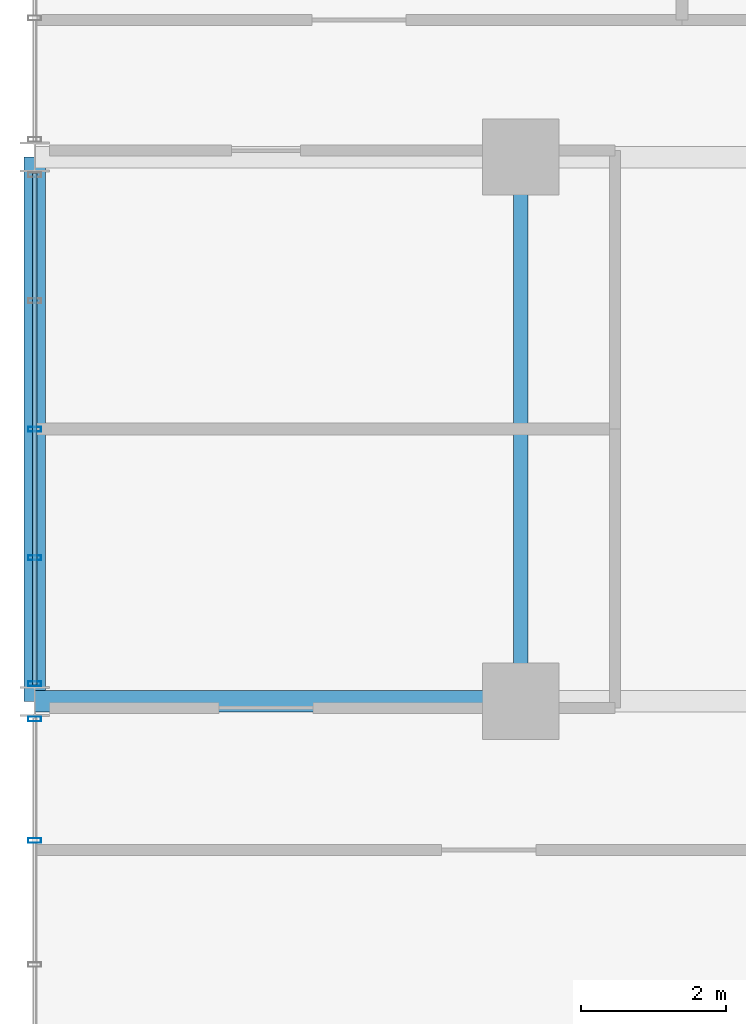
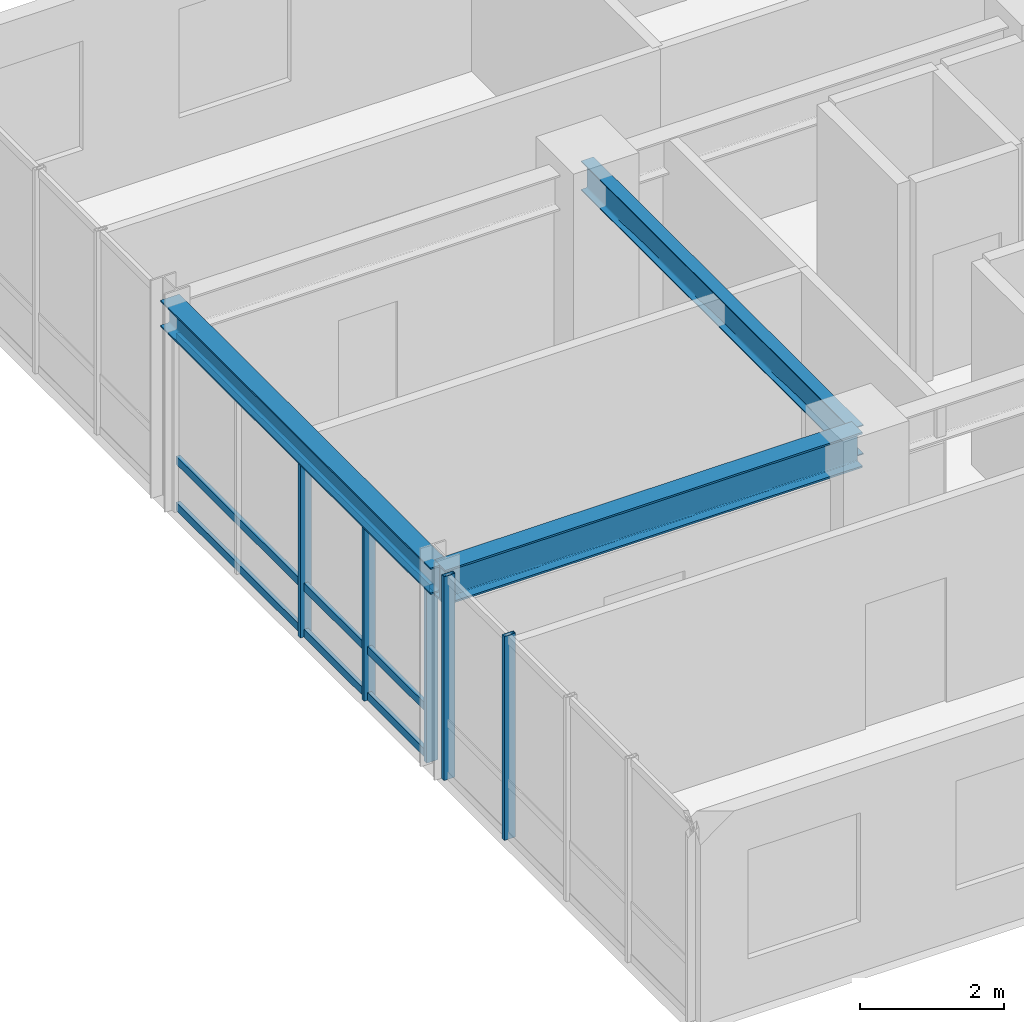
# One storey, part 5 of 19: 8 members, 3 beams, 2 elements without a shape of their own.
"""IFC4 building model written with IfcOpenShell, lengths in metres."""

from ifc_helpers import new_model, si_unit, direction, frame, origin, origin_2d, place, context, subcontext, project, spatial, hollow_rectangle, i_section, extrude, source, transform, mapped, material, layer, layer_set, material_profile, profile_set, type_object, element, aggregate, save


model = new_model("IFC4")

# Units and contexts
model_context = context("Model", 3, precision=1e-05, world=origin(), true_north=direction((0.0, 1.0)))
body_context = subcontext(model_context, "Body", "Model", "MODEL_VIEW")
ifc_project = project(units=[si_unit("LENGTHUNIT", "METRE"), si_unit("AREAUNIT", "SQUARE_METRE"), si_unit("VOLUMEUNIT", "CUBIC_METRE"), si_unit("PLANEANGLEUNIT", "RADIAN"), si_unit("MASSUNIT", "GRAM", prefix="KILO")], contexts=[model_context])

# Site, building, storey
site_placement = place(None, origin())
site = spatial("IfcSite", under=ifc_project, at=site_placement, CompositionType="ELEMENT")
building_placement = place(site_placement, origin())
building = spatial("IfcBuilding", under=site, at=building_placement, Name="Kaliganga Portal Commons", CompositionType="ELEMENT")
storey_placement = place(building_placement, frame((0.0, 0.0, 140.199951171875)))
storey = spatial("IfcBuildingStorey", under=building, at=storey_placement, Name="L35", CompositionType="ELEMENT", Elevation=140.199951171875)

# Beams
ifc_material_1 = material(Name="Structural steel S355J2", Category="steel")
ifc_material_profile_1 = material_profile(ifc_material_1, i_section(OverallWidth=0.199951171875, OverallDepth=0.5, WebThickness=0.01025390625, FlangeThickness=0.01611328125, FilletRadius=0.02099609375, at=origin_2d()), Name="IPE 500")
ifc_profile_set_1 = profile_set([ifc_material_profile_1], Name="Structural steel S355J2 wide-flange")
beam_type_1 = type_object("IfcBeamType", Name="BM-FLR-500", PredefinedType="BEAM", material=ifc_profile_set_1)
shared_shape_1 = source(origin(), body_context, "Body", "SweptSolid", [
    extrude(i_section(OverallWidth=0.199951171875, OverallDepth=0.5, WebThickness=0.01025390625, FlangeThickness=0.01611328125, FilletRadius=0.02099609375, at=origin_2d()), origin(), (0.0, 0.0, 1.0), 7.5),
])
beam_1_placement = place(storey_placement, frame((7.199951171875, 28.64990234375, 3.2099609375), z_axis=(0.0, 1.0, 0.0), x_axis=(-1.0, 0.0, 0.0)))
element("IfcBeam", 1, at=beam_1_placement, inside=storey, type_object=beam_type_1, Name="BM G L35 AW72", PredefinedType="BEAM", context=body_context, shape_type="MappedRepresentation", body=[
    mapped(shared_shape_1, transform((0.0, 0.0, 0.0), x_axis=(1.0, 0.0, 0.0), y_axis=(0.0, 1.0, 0.0), z_axis=(0.0, 0.0, 1.0), scale=1.0)),
])
ifc_material_profile_2 = material_profile(ifc_material_1, i_section(OverallWidth=0.300048828125, OverallDepth=0.449951171875, WebThickness=0.013916015625, FlangeThickness=0.02587890625, FilletRadius=0.027099609375, at=origin_2d()), Name="HE 450 B")
ifc_profile_set_2 = profile_set([ifc_material_profile_2], Name="Structural steel S355J2 wide-flange")
beam_type_2 = type_object("IfcBeamType", Name="BM-SPAND-450", PredefinedType="SPANDREL", material=ifc_profile_set_2)
shared_shape_2 = source(origin(), body_context, "Body", "SweptSolid", [
    extrude(i_section(OverallWidth=0.300048828125, OverallDepth=0.449951171875, WebThickness=0.013916015625, FlangeThickness=0.02587890625, FilletRadius=0.027099609375, at=origin_2d()), origin(), (0.0, 0.0, 1.0), 7.5),
])
beam_2_placement = place(storey_placement, frame((0.5, 28.64990234375, 3.235107421875), z_axis=(0.0, 1.0, 0.0), x_axis=(-1.0, 0.0, 0.0)))
element("IfcBeam", 2, at=beam_2_placement, inside=storey, type_object=beam_type_2, Name="BM SP L35 AW", PredefinedType="SPANDREL", context=body_context, shape_type="MappedRepresentation", body=[
    mapped(shared_shape_2, transform((0.0, 0.0, 0.0), x_axis=(1.0, 0.0, 0.0), y_axis=(0.0, 1.0, 0.0), z_axis=(0.0, 0.0, 1.0), scale=1.0)),
])
ifc_material_profile_3 = material_profile(ifc_material_1, i_section(OverallWidth=0.300048828125, OverallDepth=0.60009765625, WebThickness=0.015380859375, FlangeThickness=0.030029296875, FilletRadius=0.027099609375, at=origin_2d()), Name="HE 600 B")
ifc_profile_set_3 = profile_set([ifc_material_profile_3], Name="Structural steel S355J2 wide-flange")
beam_type_3 = type_object("IfcBeamType", Name="BM-GIRD-600", PredefinedType="USERDEFINED", material=ifc_profile_set_3)
shared_shape_3 = source(origin(), body_context, "Body", "SweptSolid", [
    extrude(i_section(OverallWidth=0.300048828125, OverallDepth=0.60009765625, WebThickness=0.015380859375, FlangeThickness=0.030029296875, FilletRadius=0.027099609375, at=origin_2d()), origin(), (0.0, 0.0, 1.0), 6.699951171875),
])
beam_3_placement = place(storey_placement, frame((0.5, 28.64990234375, 3.16015625), z_axis=(1.0, 0.0, 0.0), x_axis=(0.0, 1.0, 0.0)))
element("IfcBeam", 3, at=beam_3_placement, inside=storey, type_object=beam_type_3, Name="BM G L35 WAH_S 1", ObjectType="GIRDER", PredefinedType="USERDEFINED", context=body_context, shape_type="MappedRepresentation", body=[
    mapped(shared_shape_3, transform((0.0, 0.0, 0.0), x_axis=(1.0, 0.0, 0.0), y_axis=(0.0, 1.0, 0.0), z_axis=(0.0, 0.0, 1.0), scale=1.0)),
])

# Curtain wall, members
ifc_material_2 = material(Name="Anodized Aluminium and Laminated Low-E Glass", Category="aluminium")
ifc_layer = layer(ifc_material_2, 0.199951171875)
ifc_layer_set = layer_set([ifc_layer], Name="Anodized Aluminium and Laminated Low-E Glass")
curtain_wall_type = type_object("IfcCurtainWallType", Name="CW-SYS-02", PredefinedType="NOTDEFINED", material=ifc_layer_set)
curtain_wall_1_placement = place(storey_placement, origin())
curtain_wall_1 = element("IfcCurtainWall", 4, at=curtain_wall_1_placement, inside=storey, type_object=curtain_wall_type, Name="CW 02 L35 P1E03S3", PredefinedType="NOTDEFINED")
ifc_material_3 = material(Name="Dark Bronze Anodized Aluminium", Category="aluminium")
ifc_material_profile_4 = material_profile(ifc_material_3, hollow_rectangle(XDim=0.06494140625, YDim=0.179931640625, WallThickness=0.00390625, at=origin_2d()), Name="ALU MULL 65x180x4")
ifc_profile_set_4 = profile_set([ifc_material_profile_4], Name="Dark Bronze Anodized Aluminium")
member_type_1 = type_object("IfcMemberType", Name="CW-MUL-180", PredefinedType="MULLION", material=ifc_profile_set_4)
shared_shape_4 = source(origin(), body_context, "Body", "SweptSolid", [
    extrude(hollow_rectangle(XDim=0.06494140625, YDim=0.179931640625, WallThickness=0.00390625, at=origin_2d()), origin(), (0.0, 0.0, 1.0), 3.4599609375),
])
member_1_placement = place(storey_placement, frame((0.5, 28.406982421875, 0.0), z_axis=(0.0, 0.0, 1.0), x_axis=(0.0, -1.0, 0.0)))
member_1 = element("IfcMember", 5, at=member_1_placement, type_object=member_type_1, Name="CW:02:L35:P1E03S3 Mullion 00", PredefinedType="MULLION", context=body_context, shape_type="MappedRepresentation", body=[
    mapped(shared_shape_4, transform((0.0, 0.0, 0.0), x_axis=(1.0, 0.0, 0.0), y_axis=(0.0, 1.0, 0.0), z_axis=(0.0, 0.0, 1.0), scale=1.0)),
])
member_2_placement = place(storey_placement, frame((0.5, 26.7314453125, 0.0), z_axis=(0.0, 0.0, 1.0), x_axis=(0.0, -1.0, 0.0)))
member_2 = element("IfcMember", 6, at=member_2_placement, type_object=member_type_1, Name="CW:02:L35:P1E03S3 Mullion 01", PredefinedType="MULLION", context=body_context, shape_type="MappedRepresentation", body=[
    mapped(shared_shape_4, transform((0.0, 0.0, 0.0), x_axis=(1.0, 0.0, 0.0), y_axis=(0.0, 1.0, 0.0), z_axis=(0.0, 0.0, 1.0), scale=1.0)),
])
aggregate(curtain_wall_1, [member_1, member_2])

curtain_wall_2_placement = place(storey_placement, origin())
curtain_wall_2 = element("IfcCurtainWall", 7, at=curtain_wall_2_placement, inside=storey, type_object=curtain_wall_type, Name="CW 02 L35 P1E03S2", PredefinedType="NOTDEFINED")
shared_shape_5 = source(origin(), body_context, "Body", "SweptSolid", [
    extrude(hollow_rectangle(XDim=0.06494140625, YDim=0.179931640625, WallThickness=0.00390625, at=origin_2d()), origin(), (0.0, 0.0, 1.0), 3.010009765625),
])
member_3_placement = place(storey_placement, frame((0.5, 32.39990234375, 0.0), z_axis=(0.0, 0.0, 1.0), x_axis=(0.0, -1.0, 0.0)))
member_3 = element("IfcMember", 8, at=member_3_placement, type_object=member_type_1, Name="CW:02:L35:P1E03S2 Mullion 02", PredefinedType="MULLION", context=body_context, shape_type="MappedRepresentation", body=[
    mapped(shared_shape_5, transform((0.0, 0.0, 0.0), x_axis=(1.0, 0.0, 0.0), y_axis=(0.0, 1.0, 0.0), z_axis=(0.0, 0.0, 1.0), scale=1.0)),
])
member_4_placement = place(storey_placement, frame((0.5, 30.62890625, 0.0), z_axis=(0.0, 0.0, 1.0), x_axis=(0.0, -1.0, 0.0)))
member_4 = element("IfcMember", 9, at=member_4_placement, type_object=member_type_1, Name="CW:02:L35:P1E03S2 Mullion 03", PredefinedType="MULLION", context=body_context, shape_type="MappedRepresentation", body=[
    mapped(shared_shape_5, transform((0.0, 0.0, 0.0), x_axis=(1.0, 0.0, 0.0), y_axis=(0.0, 1.0, 0.0), z_axis=(0.0, 0.0, 1.0), scale=1.0)),
])
member_5_placement = place(storey_placement, frame((0.5, 28.89306640625, 0.0), z_axis=(0.0, 0.0, 1.0), x_axis=(0.0, -1.0, 0.0)))
member_5 = element("IfcMember", 10, at=member_5_placement, type_object=member_type_1, Name="CW:02:L35:P1E03S2 Mullion 04", PredefinedType="MULLION", context=body_context, shape_type="MappedRepresentation", body=[
    mapped(shared_shape_5, transform((0.0, 0.0, 0.0), x_axis=(1.0, 0.0, 0.0), y_axis=(0.0, 1.0, 0.0), z_axis=(0.0, 0.0, 1.0), scale=1.0)),
])
ifc_material_profile_5 = material_profile(ifc_material_3, hollow_rectangle(XDim=0.06494140625, YDim=0.135009765625, WallThickness=0.00341796875, at=origin_2d()), Name="ALU TRAN 65x135x3.5")
ifc_profile_set_5 = profile_set([ifc_material_profile_5], Name="Dark Bronze Anodized Aluminium")
member_type_2 = type_object("IfcMemberType", Name="CW-TRN-135", PredefinedType="USERDEFINED", material=ifc_profile_set_5)
shared_shape_6 = source(origin(), body_context, "Body", "SweptSolid", [
    extrude(hollow_rectangle(XDim=0.06494140625, YDim=0.135009765625, WallThickness=0.00341796875, at=origin_2d()), origin(), (0.0, 0.0, 1.0), 7.044189453125),
])
member_6_placement = place(storey_placement, frame((0.5, 35.922119140625, 0.06005859375), z_axis=(0.0, -1.0, 0.0), x_axis=(1.0, 0.0, 0.0)))
member_6 = element("IfcMember", 11, at=member_6_placement, type_object=member_type_2, Name="CW:02:L35:P1E03S2 Transom 1", ObjectType="TRANSOM", PredefinedType="USERDEFINED", context=body_context, shape_type="MappedRepresentation", body=[
    mapped(shared_shape_6, transform((0.0, 0.0, 0.0), x_axis=(1.0, 0.0, 0.0), y_axis=(0.0, 1.0, 0.0), z_axis=(0.0, 0.0, 1.0), scale=1.0)),
])
member_7_placement = place(storey_placement, frame((0.5, 35.922119140625, 0.8427734375), z_axis=(0.0, -1.0, 0.0), x_axis=(1.0, 0.0, 0.0)))
member_7 = element("IfcMember", 12, at=member_7_placement, type_object=member_type_2, Name="CW:02:L35:P1E03S2 Transom 2", ObjectType="TRANSOM", PredefinedType="USERDEFINED", context=body_context, shape_type="MappedRepresentation", body=[
    mapped(shared_shape_6, transform((0.0, 0.0, 0.0), x_axis=(1.0, 0.0, 0.0), y_axis=(0.0, 1.0, 0.0), z_axis=(0.0, 0.0, 1.0), scale=1.0)),
])
member_8_placement = place(storey_placement, frame((0.5, 35.922119140625, 2.929931640625), z_axis=(0.0, -1.0, 0.0), x_axis=(1.0, 0.0, 0.0)))
member_8 = element("IfcMember", 13, at=member_8_placement, type_object=member_type_2, Name="CW:02:L35:P1E03S2 Transom 3", ObjectType="TRANSOM", PredefinedType="USERDEFINED", context=body_context, shape_type="MappedRepresentation", body=[
    mapped(shared_shape_6, transform((0.0, 0.0, 0.0), x_axis=(1.0, 0.0, 0.0), y_axis=(0.0, 1.0, 0.0), z_axis=(0.0, 0.0, 1.0), scale=1.0)),
])
aggregate(curtain_wall_2, [member_3, member_4, member_5, member_6, member_7, member_8])

save(model, "model.ifc")
